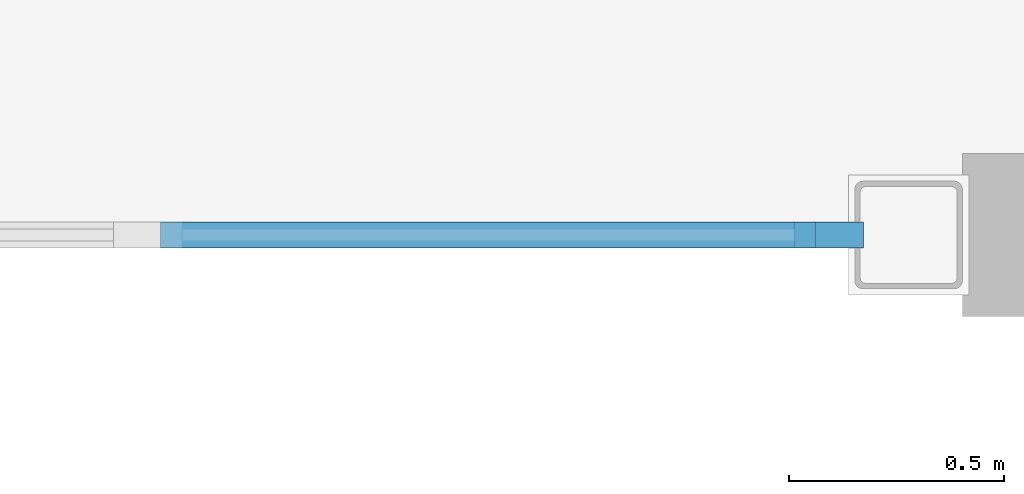
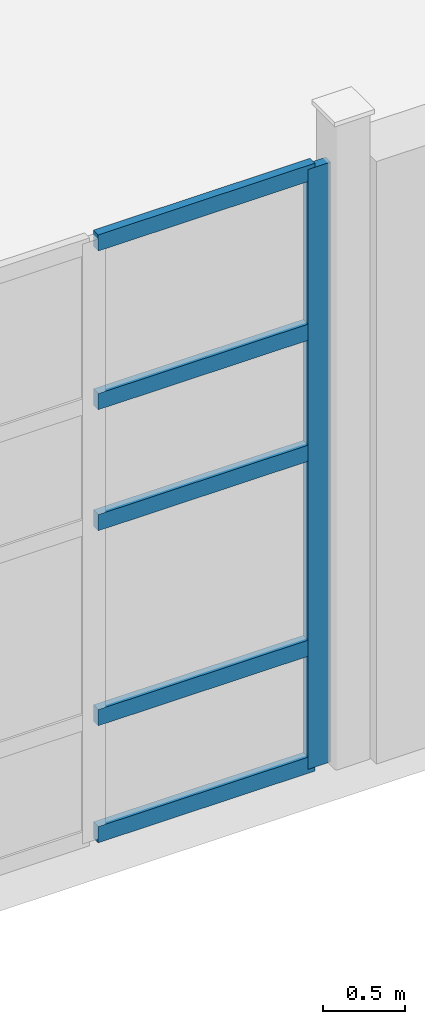
# One storey, part 38 of 139: 6 members, 1 element without a shape of its own.
"""IFC4 building model written with IfcOpenShell, lengths in metres."""

from ifc_helpers import new_model, si_unit, direction, frame, origin, origin_2d, place, context, subcontext, project, spatial, rectangle, extrude, material, layer, layer_set, material_profile, profile_set, type_object, element, aggregate, save


model = new_model("IFC4")

# Units and contexts
model_context = context("Model", 3, precision=1e-05, world=origin(), true_north=direction((0.0, 1.0)))
body_context = subcontext(model_context, "Body", "Model", "MODEL_VIEW")
ifc_project = project(units=[si_unit("LENGTHUNIT", "METRE"), si_unit("AREAUNIT", "SQUARE_METRE"), si_unit("VOLUMEUNIT", "CUBIC_METRE"), si_unit("PLANEANGLEUNIT", "RADIAN"), si_unit("MASSUNIT", "GRAM", prefix="KILO"), si_unit("THERMODYNAMICTEMPERATUREUNIT", "KELVIN"), si_unit("POWERUNIT", "WATT")], contexts=[model_context])

# Site, building, storey
site_placement = place(None, origin())
site = spatial("IfcSite", under=ifc_project, at=site_placement, CompositionType="ELEMENT")
building_placement = place(site_placement, origin())
building = spatial("IfcBuilding", under=site, at=building_placement, Name="Korenveer Ferry Terminal", CompositionType="ELEMENT")
storey_placement = place(building_placement, frame((0.0, 0.0, 5.39990234375)))
storey = spatial("IfcBuildingStorey", under=building, at=storey_placement, Name="L01", CompositionType="ELEMENT", Elevation=5.39990234375)

# Curtain wall, members
ifc_material_1 = material(Name="Unitised bronze-and-glass curtain wall", Category="glass")
ifc_layer = layer(ifc_material_1, 0.159912109375)
ifc_layer_set = layer_set([ifc_layer], Name="Unitised bronze-and-glass curtain wall")
curtain_wall_type = type_object("IfcCurtainWallType", Name="ENV-CW-41", PredefinedType="USERDEFINED", material=ifc_layer_set)
curtain_wall_placement = place(storey_placement, frame((83.155029296875, 20.0, 0.0)))
curtain_wall = element("IfcCurtainWall", 1, at=curtain_wall_placement, inside=storey, type_object=curtain_wall_type, Name="Lancet curtain wall CWX-L01-X83-93-Y20-20", ObjectType="UNITISED CURTAIN WALL", PredefinedType="USERDEFINED")
ifc_material_2 = material(Name="Anodised bronze aluminium", Category="aluminium")
ifc_material_profile_1 = material_profile(ifc_material_2, rectangle(XDim=0.06005859375, YDim=0.159912109375, at=origin_2d()), Name="ALU 60x160")
ifc_profile_set_1 = profile_set([ifc_material_profile_1], Name="Anodised bronze aluminium")
member_type_1 = type_object("IfcMemberType", Name="ENV-CWM-60X160", PredefinedType="MULLION", material=ifc_profile_set_1)
member_1_placement = place(storey_placement, frame((92.81494140625, 20.0, 0.0), z_axis=(0.0, 0.0, 1.0), x_axis=(0.0, 1.0, 0.0)))
member_1 = element("IfcMember", 2, at=member_1_placement, type_object=member_type_1, Name="CW-41 mullion 7", PredefinedType="MULLION", context=body_context, shape_type="SweptSolid", body=[
    extrude(rectangle(XDim=0.06005859375, YDim=0.159912109375, at=origin_2d()), origin(), (0.0, 0.0, 1.0), 4.460205078125),
])
ifc_material_profile_2 = material_profile(ifc_material_2, rectangle(XDim=0.06005859375, YDim=0.1201171875, at=origin_2d()), Name="ALU 60x120")
ifc_profile_set_2 = profile_set([ifc_material_profile_2], Name="Anodised bronze aluminium")
member_type_2 = type_object("IfcMemberType", Name="ENV-CWT-60X120", PredefinedType="USERDEFINED", material=ifc_profile_set_2)
member_2_placement = place(storey_placement, frame((91.260009765625, 20.0, 0.030029296875), z_axis=(1.0, 0.0, 0.0), x_axis=(0.0, 1.0, 0.0)))
member_2 = element("IfcMember", 3, at=member_2_placement, type_object=member_type_2, Name="CW-41 transom 6.1", ObjectType="TRANSOM", PredefinedType="USERDEFINED", context=body_context, shape_type="SweptSolid", body=[
    extrude(rectangle(XDim=0.06005859375, YDim=0.1201171875, at=origin_2d()), origin(), (0.0, 0.0, 1.0), 1.52490234375),
])
member_3_placement = place(storey_placement, frame((91.260009765625, 20.0, 0.900146484375), z_axis=(1.0, 0.0, 0.0), x_axis=(0.0, 1.0, 0.0)))
member_3 = element("IfcMember", 4, at=member_3_placement, type_object=member_type_2, Name="CW-41 transom 6.2", ObjectType="TRANSOM", PredefinedType="USERDEFINED", context=body_context, shape_type="SweptSolid", body=[
    extrude(rectangle(XDim=0.06005859375, YDim=0.1201171875, at=origin_2d()), origin(), (0.0, 0.0, 1.0), 1.52490234375),
])
member_4_placement = place(storey_placement, frame((91.260009765625, 20.0, 2.35009765625), z_axis=(1.0, 0.0, 0.0), x_axis=(0.0, 1.0, 0.0)))
member_4 = element("IfcMember", 5, at=member_4_placement, type_object=member_type_2, Name="CW-41 transom 6.3", ObjectType="TRANSOM", PredefinedType="USERDEFINED", context=body_context, shape_type="SweptSolid", body=[
    extrude(rectangle(XDim=0.06005859375, YDim=0.1201171875, at=origin_2d()), origin(), (0.0, 0.0, 1.0), 1.52490234375),
])
member_5_placement = place(storey_placement, frame((91.260009765625, 20.0, 3.25), z_axis=(1.0, 0.0, 0.0), x_axis=(0.0, 1.0, 0.0)))
member_5 = element("IfcMember", 6, at=member_5_placement, type_object=member_type_2, Name="CW-41 transom 6.4", ObjectType="TRANSOM", PredefinedType="USERDEFINED", context=body_context, shape_type="SweptSolid", body=[
    extrude(rectangle(XDim=0.06005859375, YDim=0.1201171875, at=origin_2d()), origin(), (0.0, 0.0, 1.0), 1.52490234375),
])
member_6_placement = place(storey_placement, frame((91.260009765625, 20.0, 4.43017578125), z_axis=(1.0, 0.0, 0.0), x_axis=(0.0, 1.0, 0.0)))
member_6 = element("IfcMember", 7, at=member_6_placement, type_object=member_type_2, Name="CW-41 transom 6.5", ObjectType="TRANSOM", PredefinedType="USERDEFINED", context=body_context, shape_type="SweptSolid", body=[
    extrude(rectangle(XDim=0.06005859375, YDim=0.1201171875, at=origin_2d()), origin(), (0.0, 0.0, 1.0), 1.52490234375),
])
aggregate(curtain_wall, [member_1, member_2, member_3, member_4, member_5, member_6])

save(model, "model.ifc")
